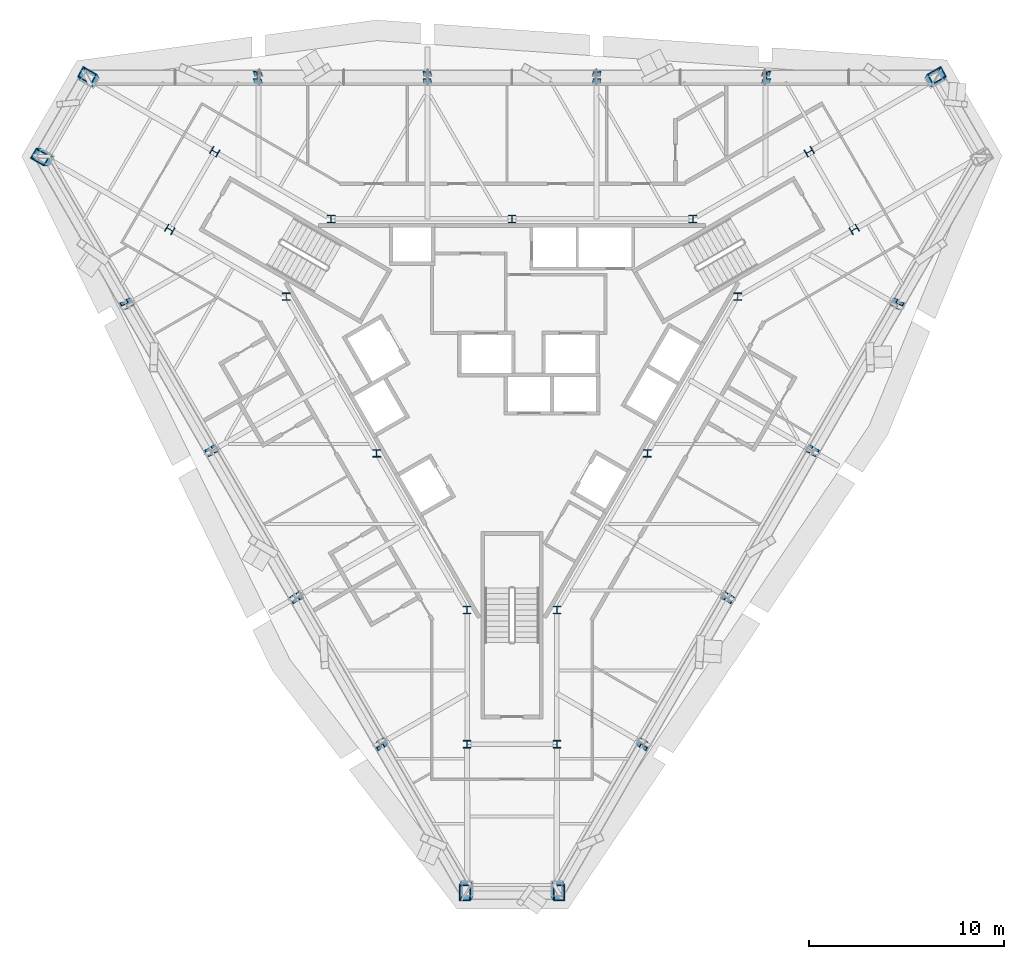
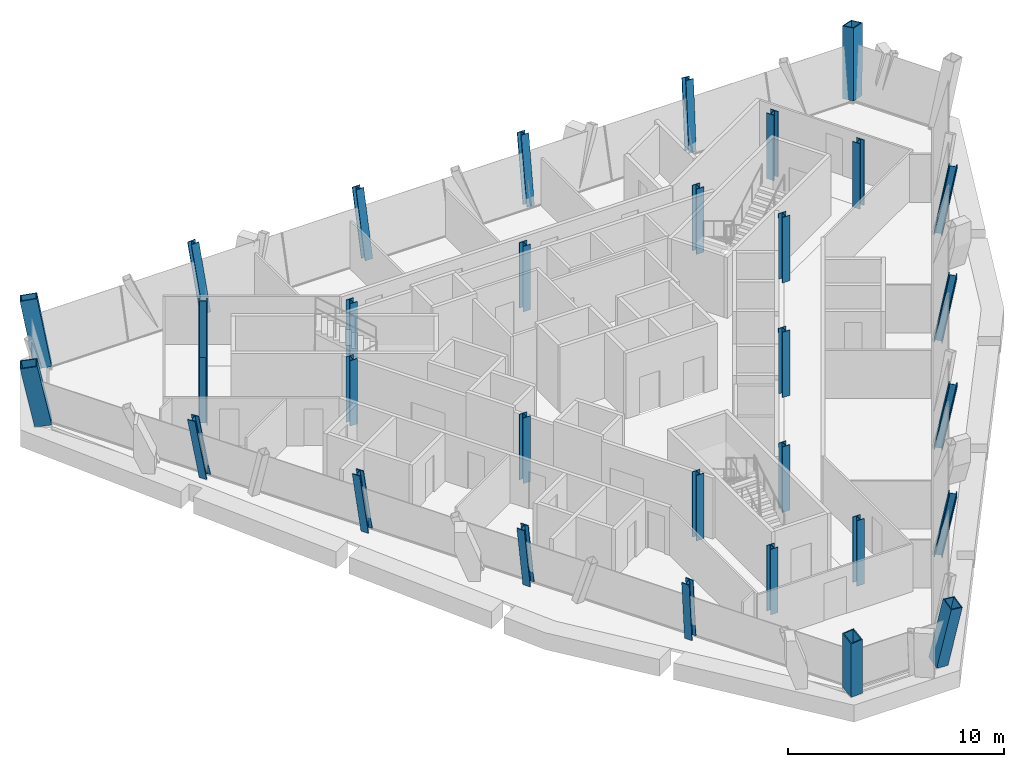
# One storey, part 1 of 10: 32 columns.
"""IFC4 building model written with IfcOpenShell, lengths in metres."""

from ifc_helpers import new_model, si_unit, direction, frame, origin, origin_2d, place, context, subcontext, project, spatial, hollow_rectangle, i_section, extrude, material, material_profile, profile_set, type_object, element, save


model = new_model("IFC4")

# Units and contexts
model_context = context("Model", 3, precision=1e-05, world=origin(), true_north=direction((0.0, 1.0)))
body_context = subcontext(model_context, "Body", "Model", "MODEL_VIEW")
ifc_project = project(units=[si_unit("LENGTHUNIT", "METRE"), si_unit("AREAUNIT", "SQUARE_METRE"), si_unit("VOLUMEUNIT", "CUBIC_METRE"), si_unit("PLANEANGLEUNIT", "RADIAN"), si_unit("MASSUNIT", "GRAM", prefix="KILO")], contexts=[model_context])

# Site, building, storey
site_placement = place(None, origin())
site = spatial("IfcSite", under=ifc_project, at=site_placement, CompositionType="ELEMENT")
building_placement = place(site_placement, origin())
building = spatial("IfcBuilding", under=site, at=building_placement, Name="Verrane Prism Tower", CompositionType="ELEMENT")
storey_placement = place(building_placement, frame((0.0, 0.0, 213.800048828125)))
storey = spatial("IfcBuildingStorey", under=building, at=storey_placement, Name="L53", CompositionType="ELEMENT", Elevation=213.800048828125)

# Columns
ifc_material_1 = material(Name="Steel A992", Category="steel")
ifc_material_profile_1 = material_profile(ifc_material_1, i_section(OverallWidth=0.4013671875, OverallDepth=0.398681640625, WebThickness=0.02490234375, FlangeThickness=0.03955078125, FilletRadius=0.01513671875, at=origin_2d()), Name="W14x211")
ifc_profile_set_1 = profile_set([ifc_material_profile_1], Name="Steel A992")
column_type_1 = type_object("IfcColumnType", Name="Core corner column W14x211", PredefinedType="COLUMN", material=ifc_profile_set_1)
for number, where, z_axis, x_axis, name in (
    (1, (17.52001953125, 7.4599609375, 0.0), (0.0, 0.0, 1.0), (0.5, -0.866025403784, 0.0), "Core corner column CK-NEm L53"),
    (2, (15.219970703125, 11.43994140625, 0.0), (0.0, 0.0, 1.0), (0.5, -0.866025403784, 0.0), "Core corner column CK-NEp L53"),
    (3, (-15.219970703125, 11.43994140625, 0.0), (0.0, 0.0, 1.0), (0.5, 0.866025403784, 0.0), "Core corner column CK-NWm L53"),
    (4, (-17.52001953125, 7.4599609375, 0.0), (0.0, 0.0, 1.0), (0.5, 0.866025403784, 0.0), "Core corner column CK-NWp L53"),
    (5, (-2.300048828125, -18.89990234375, 0.0), (0.0, 0.0, 1.0), (-1.0, 0.0, 0.0), "Core corner column CK-Sm L53"),
    (6, (2.300048828125, -18.89990234375, 0.0), (0.0, 0.0, 1.0), (-1.0, 0.0, 0.0), "Core corner column CK-Sp L53"),
):
    element("IfcColumn", number, at=place(storey_placement, frame(where, z_axis=z_axis, x_axis=x_axis)), inside=storey, type_object=column_type_1, Name=name, PredefinedType="COLUMN", context=body_context, shape_type="SweptSolid", body=[
        extrude(i_section(OverallWidth=0.4013671875, OverallDepth=0.398681640625, WebThickness=0.02490234375, FlangeThickness=0.03955078125, FilletRadius=0.01513671875, at=origin_2d()), origin(), (0.0, 0.0, 1.0), 3.699951171875),
    ])
ifc_material_2 = material(Name="Steel A992", Category="steel")
ifc_material_profile_2 = material_profile(ifc_material_2, i_section(OverallWidth=0.398681640625, OverallDepth=0.385986328125, WebThickness=0.02099609375, FlangeThickness=0.033203125, FilletRadius=0.01513671875, at=origin_2d()), Name="W14x176")
ifc_profile_set_2 = profile_set([ifc_material_profile_2], Name="Steel A992")
column_type_2 = type_object("IfcColumnType", Name="Core side column W14x176", PredefinedType="COLUMN", material=ifc_profile_set_2)
for number, where, z_axis, x_axis, name in (
    (7, (11.56005859375, 4.02001953125, 0.0), (0.0, 0.0, 1.0), (1.0, 0.0, 0.0), "Core side column CC-NEm L53"),
    (8, (9.260009765625, 8.0, 0.0), (0.0, 0.0, 1.0), (1.0, 0.0, 0.0), "Core side column CC-NEp L53"),
    (9, (0.0, 8.0, 0.0), (0.0, 0.0, 1.0), (1.0, 0.0, 0.0), "Core side column CC-N0 L53"),
    (10, (-9.260009765625, 8.0, 0.0), (0.0, 0.0, 1.0), (1.0, 0.0, 0.0), "Core side column CC-NWm L53"),
    (11, (-11.56005859375, 4.02001953125, 0.0), (0.0, 0.0, 1.0), (1.0, 0.0, 0.0), "Core side column CC-NWp L53"),
    (12, (-6.929931640625, -4.0, 0.0), (0.0, 0.0, 1.0), (1.0, 0.0, 0.0), "Core side column CC-SW0 L53"),
    (13, (-2.300048828125, -12.02001953125, 0.0), (0.0, 0.0, 1.0), (1.0, 0.0, 0.0), "Core side column CC-Sm L53"),
    (14, (2.300048828125, -12.02001953125, 0.0), (0.0, 0.0, 1.0), (1.0, 0.0, 0.0), "Core side column CC-Sp L53"),
    (15, (6.929931640625, -4.0, 0.0), (0.0, 0.0, 1.0), (1.0, 0.0, 0.0), "Core side column CC-SE0 L53"),
):
    element("IfcColumn", number, at=place(storey_placement, frame(where, z_axis=z_axis, x_axis=x_axis)), inside=storey, type_object=column_type_2, Name=name, PredefinedType="COLUMN", context=body_context, shape_type="SweptSolid", body=[
        extrude(i_section(OverallWidth=0.398681640625, OverallDepth=0.385986328125, WebThickness=0.02099609375, FlangeThickness=0.033203125, FilletRadius=0.01513671875, at=origin_2d()), origin(), (0.0, 0.0, 1.0), 3.699951171875),
    ])
ifc_material_3 = material(Name="Steel A572 Grade 50", Category="steel")
ifc_material_profile_3 = material_profile(ifc_material_3, hollow_rectangle(XDim=0.60009765625, YDim=0.800048828125, WallThickness=0.050048828125, at=origin_2d()), Name="BOX 800x600x50")
ifc_profile_set_3 = profile_set([ifc_material_profile_3], Name="Steel A572 Grade 50")
column_type_3 = type_object("IfcColumnType", Name="Megacolumn BOX 800x600x50", PredefinedType="COLUMN", material=ifc_profile_set_3)
for number, where, z_axis, x_axis, name in (
    (16, (21.627197265625, 15.142333984375, 0.06494140625), (0.108214891267, 0.184766906942, 0.976806391977), (0.497103756844, -0.860970557833, 0.107784755309), "Megacolumn MC-NE.b L53"),
    (17, (-21.627197265625, 15.142333984375, 0.06494140625), (-0.108214891267, 0.184766906942, 0.976806391977), (0.497103756844, 0.860970557833, -0.107784755309), "Megacolumn MC-NW.a L53"),
):
    element("IfcColumn", number, at=place(storey_placement, frame(where, z_axis=z_axis, x_axis=x_axis)), inside=storey, type_object=column_type_3, Name=name, PredefinedType="COLUMN", context=body_context, shape_type="SweptSolid", body=[
        extrude(hollow_rectangle(XDim=0.60009765625, YDim=0.800048828125, WallThickness=0.050048828125, at=origin_2d()), origin(), (0.0, 0.0, 1.0), 3.65478515625),
    ])
column_1_placement = place(storey_placement, frame((-23.92431640625, 11.159912109375, 0.06494140625), z_axis=(-0.213838328366, 0.0, 0.976869064574), x_axis=(0.497033455356, 0.860883256594, 0.10880148332)))
element("IfcColumn", 18, at=column_1_placement, inside=storey, type_object=column_type_3, Name="Megacolumn MC-NW.b L53", PredefinedType="COLUMN", context=body_context, shape_type="SweptSolid", body=[
    extrude(hollow_rectangle(XDim=0.60009765625, YDim=0.800048828125, WallThickness=0.050048828125, at=origin_2d()), origin(), (0.0, 0.0, 1.0), 3.654541015625),
])
for number, where, z_axis, x_axis, name in (
    (19, (-2.297119140625, -26.30224609375, 0.06494140625), (-0.105637840441, -0.184882925047, 0.977066502697), (-0.994205333654, -3.6168953e-05, -0.107497689394), "Megacolumn MC-S.a L53"),
    (20, (2.297119140625, -26.30224609375, 0.06494140625), (0.105637840441, -0.184882925047, 0.977066502697), (-0.994205333654, 3.6168953e-05, 0.107497689394), "Megacolumn MC-S.b L53"),
):
    element("IfcColumn", number, at=place(storey_placement, frame(where, z_axis=z_axis, x_axis=x_axis)), inside=storey, type_object=column_type_3, Name=name, PredefinedType="COLUMN", context=body_context, shape_type="SweptSolid", body=[
        extrude(hollow_rectangle(XDim=0.60009765625, YDim=0.800048828125, WallThickness=0.050048828125, at=origin_2d()), origin(), (0.0, 0.0, 1.0), 3.65380859375),
    ])
ifc_material_4 = material(Name="Steel A992", Category="steel")
ifc_material_profile_4 = material_profile(ifc_material_4, i_section(OverallWidth=0.4013671875, OverallDepth=0.398681640625, WebThickness=0.02490234375, FlangeThickness=0.03955078125, FilletRadius=0.01513671875, at=origin_2d()), Name="W14x211")
ifc_profile_set_4 = profile_set([ifc_material_profile_4], Name="Steel A992")
column_type_4 = type_object("IfcColumnType", Name="Perimeter column W14x211", PredefinedType="COLUMN", material=ifc_profile_set_4)
column_2_placement = place(storey_placement, frame((12.97265625, 15.1376953125, 0.0400390625), z_axis=(0.066255705929, 0.185476302527, 0.980412526762), x_axis=(0.997725155976, -6.7197846e-05, -0.067412970684)))
element("IfcColumn", 21, at=column_2_placement, inside=storey, type_object=column_type_4, Name="Perimeter column PC-N1 L53", PredefinedType="COLUMN", context=body_context, shape_type="SweptSolid", body=[
    extrude(i_section(OverallWidth=0.4013671875, OverallDepth=0.398681640625, WebThickness=0.02490234375, FlangeThickness=0.03955078125, FilletRadius=0.01513671875, at=origin_2d()), origin(), (0.0, 0.0, 1.0), 3.692138671875),
])
for number, where, z_axis, x_axis, name in (
    (22, (4.32080078125, 15.13671875, 0.034912109375), (0.023914784976, 0.185835055632, 0.982289883465), (0.999704292693, -0.000115278447, -0.024316946377), "Perimeter column PC-N2 L53"),
    (23, (-4.32080078125, 15.13671875, 0.034912109375), (-0.023914784976, 0.185835055632, 0.982289883465), (0.999704292693, 0.000115278447, 0.024316946377), "Perimeter column PC-N3 L53"),
):
    element("IfcColumn", number, at=place(storey_placement, frame(where, z_axis=z_axis, x_axis=x_axis)), inside=storey, type_object=column_type_4, Name=name, PredefinedType="COLUMN", context=body_context, shape_type="SweptSolid", body=[
        extrude(i_section(OverallWidth=0.4013671875, OverallDepth=0.398681640625, WebThickness=0.02490234375, FlangeThickness=0.03955078125, FilletRadius=0.01513671875, at=origin_2d()), origin(), (0.0, 0.0, 1.0), 3.695556640625),
    ])
for number, where, z_axis, x_axis, name in (
    (24, (-12.97265625, 15.1376953125, 0.0400390625), (-0.066255705929, 0.185476302527, 0.980412526762), (0.997725155976, 6.7197846e-05, 0.067412970684), "Perimeter column PC-N4 L53"),
    (25, (-19.597900390625, 3.66845703125, 0.0400390625), (-0.19341182923, -0.037095396991, 0.980416134015), (-0.498932099925, 0.864144788984, -0.065730840066), "Perimeter column PC-SW1 L53"),
):
    element("IfcColumn", number, at=place(storey_placement, frame(where, z_axis=z_axis, x_axis=x_axis)), inside=storey, type_object=column_type_4, Name=name, PredefinedType="COLUMN", context=body_context, shape_type="SweptSolid", body=[
        extrude(i_section(OverallWidth=0.4013671875, OverallDepth=0.398681640625, WebThickness=0.02490234375, FlangeThickness=0.03955078125, FilletRadius=0.01513671875, at=origin_2d()), origin(), (0.0, 0.0, 1.0), 3.692138671875),
    ])
column_3_placement = place(storey_placement, frame((-15.276123046875, -3.822509765625, 0.034912109375), z_axis=(-0.169909418079, -0.074413848602, 0.982646105566), x_axis=(-0.500226220169, 0.86564150205, -0.020940835345)))
element("IfcColumn", 26, at=column_3_placement, inside=storey, type_object=column_type_4, Name="Perimeter column PC-SW2 L53", PredefinedType="COLUMN", context=body_context, shape_type="SweptSolid", body=[
    extrude(i_section(OverallWidth=0.4013671875, OverallDepth=0.398681640625, WebThickness=0.02490234375, FlangeThickness=0.03955078125, FilletRadius=0.01513671875, at=origin_2d()), origin(), (0.0, 0.0, 1.0), 3.6943359375),
])
column_4_placement = place(storey_placement, frame((-10.9453125, -11.31396484375, 0.034912109375), z_axis=(-0.15133236457, -0.11150110493, 0.982174128672), x_axis=(-0.499861643135, 0.865843891747, 0.021276579787)))
element("IfcColumn", 27, at=column_4_placement, inside=storey, type_object=column_type_4, Name="Perimeter column PC-SW3 L53", PredefinedType="COLUMN", context=body_context, shape_type="SweptSolid", body=[
    extrude(i_section(OverallWidth=0.4013671875, OverallDepth=0.398681640625, WebThickness=0.02490234375, FlangeThickness=0.03955078125, FilletRadius=0.01513671875, at=origin_2d()), origin(), (0.0, 0.0, 1.0), 3.696044921875),
])
for number, where, z_axis, x_axis, name in (
    (28, (-6.62451171875, -18.805419921875, 0.034912109375), (-0.127230260559, -0.148402325691, 0.980708524755), (-0.498811932541, 0.864189207777, 0.06605807382), "Perimeter column PC-SW4 L53"),
    (29, (6.62451171875, -18.805419921875, 0.034912109375), (0.127230260559, -0.148402325691, 0.980708524755), (-0.498811932541, -0.864189207777, -0.06605807382), "Perimeter column PC-SE1 L53"),
):
    element("IfcColumn", number, at=place(storey_placement, frame(where, z_axis=z_axis, x_axis=x_axis)), inside=storey, type_object=column_type_4, Name=name, PredefinedType="COLUMN", context=body_context, shape_type="SweptSolid", body=[
        extrude(i_section(OverallWidth=0.4013671875, OverallDepth=0.398681640625, WebThickness=0.02490234375, FlangeThickness=0.03955078125, FilletRadius=0.01513671875, at=origin_2d()), origin(), (0.0, 0.0, 1.0), 3.701416015625),
    ])
column_5_placement = place(storey_placement, frame((10.9453125, -11.31396484375, 0.034912109375), z_axis=(0.15133236457, -0.11150110493, 0.982174128672), x_axis=(-0.499861643135, -0.865843891747, -0.021276579787)))
element("IfcColumn", 30, at=column_5_placement, inside=storey, type_object=column_type_4, Name="Perimeter column PC-SE2 L53", PredefinedType="COLUMN", context=body_context, shape_type="SweptSolid", body=[
    extrude(i_section(OverallWidth=0.4013671875, OverallDepth=0.398681640625, WebThickness=0.02490234375, FlangeThickness=0.03955078125, FilletRadius=0.01513671875, at=origin_2d()), origin(), (0.0, 0.0, 1.0), 3.696044921875),
])
column_6_placement = place(storey_placement, frame((15.276123046875, -3.822509765625, 0.034912109375), z_axis=(0.169909418079, -0.074413848602, 0.982646105566), x_axis=(-0.500226220169, -0.86564150205, 0.020940835345)))
element("IfcColumn", 31, at=column_6_placement, inside=storey, type_object=column_type_4, Name="Perimeter column PC-SE3 L53", PredefinedType="COLUMN", context=body_context, shape_type="SweptSolid", body=[
    extrude(i_section(OverallWidth=0.4013671875, OverallDepth=0.398681640625, WebThickness=0.02490234375, FlangeThickness=0.03955078125, FilletRadius=0.01513671875, at=origin_2d()), origin(), (0.0, 0.0, 1.0), 3.6943359375),
])
column_7_placement = place(storey_placement, frame((19.597900390625, 3.66845703125, 0.0400390625), z_axis=(0.19341182923, -0.037095396991, 0.980416134015), x_axis=(-0.498932099925, -0.864144788984, 0.065730840066)))
element("IfcColumn", 32, at=column_7_placement, inside=storey, type_object=column_type_4, Name="Perimeter column PC-SE4 L53", PredefinedType="COLUMN", context=body_context, shape_type="SweptSolid", body=[
    extrude(i_section(OverallWidth=0.4013671875, OverallDepth=0.398681640625, WebThickness=0.02490234375, FlangeThickness=0.03955078125, FilletRadius=0.01513671875, at=origin_2d()), origin(), (0.0, 0.0, 1.0), 3.692138671875),
])

save(model, "model.ifc")
